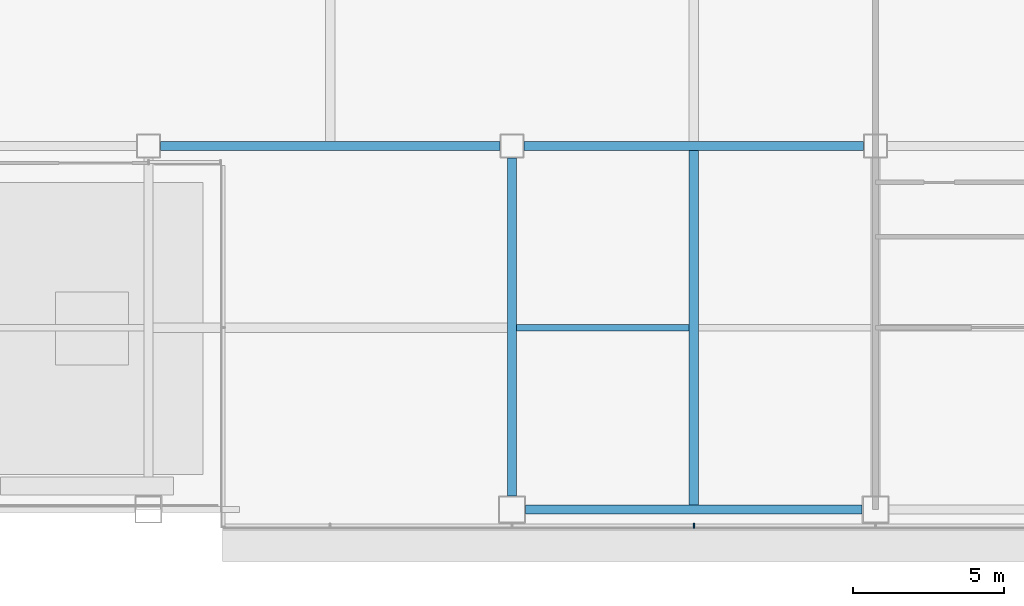
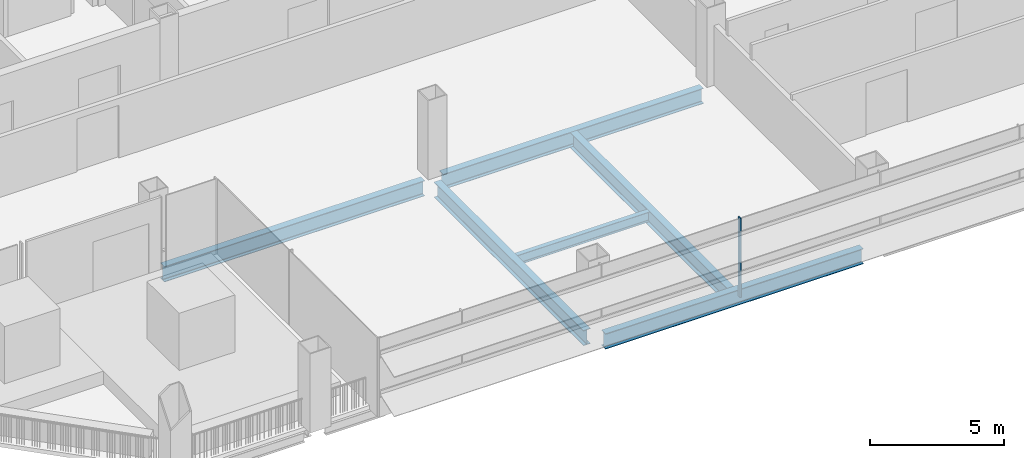
# One storey, part 3 of 28: 6 beams, 1 member, 1 element without a shape of its own.
"""IFC4 building model written with IfcOpenShell, lengths in metres."""

from ifc_helpers import new_model, si_unit, direction, frame, origin, origin_2d, place, context, subcontext, project, spatial, rectangle, i_section, extrude, material, material_profile, profile_set, type_object, element, aggregate, save


model = new_model("IFC4")

# Units and contexts
model_context = context("Model", 3, precision=1e-05, world=origin(), true_north=direction((0.0, 1.0)))
body_context = subcontext(model_context, "Body", "Model", "MODEL_VIEW")
ifc_project = project(units=[si_unit("LENGTHUNIT", "METRE"), si_unit("AREAUNIT", "SQUARE_METRE"), si_unit("VOLUMEUNIT", "CUBIC_METRE"), si_unit("PLANEANGLEUNIT", "RADIAN"), si_unit("MASSUNIT", "GRAM", prefix="KILO")], contexts=[model_context])

# Site, building, storey
site_placement = place(None, origin())
site = spatial("IfcSite", under=ifc_project, at=site_placement, CompositionType="ELEMENT")
building_placement = place(site_placement, origin())
building = spatial("IfcBuilding", under=site, at=building_placement, Name="Sorahane Residences", CompositionType="ELEMENT")
storey_placement = place(building_placement, frame((0.0, 0.0, 60.60009765625)))
storey = spatial("IfcBuildingStorey", under=building, at=storey_placement, Name="L11", CompositionType="ELEMENT", Elevation=60.60009765625)

# Curtain wall, member
ifc_material_1 = material(Name="Dark low-e glass and black anodised aluminium", Category="aluminium")
curtain_wall_type = type_object("IfcCurtainWallType", Name="Curtain wall CW-1 Typical unitised wall", PredefinedType="NOTDEFINED", material=ifc_material_1)
curtain_wall_placement = place(storey_placement, origin())
curtain_wall = element("IfcCurtainWall", 1, at=curtain_wall_placement, inside=storey, type_object=curtain_wall_type, Name="CW-1 curtain wall L11 S2", PredefinedType="NOTDEFINED")
ifc_material_2 = material(Name="Black anodised aluminium", Category="aluminium")
ifc_material_profile_1 = material_profile(ifc_material_2, rectangle(XDim=0.159912109375, YDim=0.050048828125, at=origin_2d()), Name="Curtain wall mullion CW-1 black anodised aluminium 50x160")
ifc_profile_set_1 = profile_set([ifc_material_profile_1], Name="Black anodised aluminium")
member_type = type_object("IfcMemberType", Name="Curtain wall mullion CW-1 black anodised aluminium 50x160", PredefinedType="MULLION", material=ifc_profile_set_1)
member_placement = place(storey_placement, frame((30.0, -0.5400390625, -0.18017578125), z_axis=(0.0, 0.0, 1.0), x_axis=(0.0, -1.0, 0.0)))
member = element("IfcMember", 2, at=member_placement, type_object=member_type, Name="CW-1 mullion L11 S2.4", PredefinedType="MULLION", context=body_context, shape_type="SweptSolid", body=[
    extrude(rectangle(XDim=0.159912109375, YDim=0.050048828125, at=origin_2d()), origin(), (0.0, 0.0, 1.0), 3.60009765625),
])
aggregate(curtain_wall, [member])

# Beams
ifc_material_3 = material(Name="Steel Q355B", Category="steel")
ifc_material_profile_2 = material_profile(ifc_material_3, i_section(OverallWidth=0.199951171875, OverallDepth=0.449951171875, WebThickness=0.009033203125, FlangeThickness=0.013916015625, FilletRadius=0.02001953125, at=origin_2d()), Name="HN 450x200x9x14")
ifc_profile_set_2 = profile_set([ifc_material_profile_2], Name="Steel Q355B")
beam_type_1 = type_object("IfcBeamType", Name="Steel floor beam HN 450x200x9x14 Q355B", PredefinedType="BEAM", material=ifc_profile_set_2)
beam_1_placement = place(storey_placement, frame((24.14990234375, 6.0, -0.405029296875), z_axis=(1.0, 0.0, 0.0), x_axis=(0.0, 1.0, 0.0)))
element("IfcBeam", 3, at=beam_1_placement, inside=storey, type_object=beam_type_1, Name="Beam L11 063", PredefinedType="BEAM", context=body_context, shape_type="SweptSolid", body=[
    extrude(i_section(OverallWidth=0.199951171875, OverallDepth=0.449951171875, WebThickness=0.009033203125, FlangeThickness=0.013916015625, FilletRadius=0.02001953125, at=origin_2d()), origin(), (0.0, 0.0, 1.0), 5.7001953125),
])
ifc_material_4 = material(Name="Steel Q355B", Category="steel")
ifc_material_profile_3 = material_profile(ifc_material_4, i_section(OverallWidth=0.300048828125, OverallDepth=0.699951171875, WebThickness=0.012939453125, FlangeThickness=0.02392578125, FilletRadius=0.028076171875, at=origin_2d()), Name="HN 700x300x13x24")
ifc_profile_set_3 = profile_set([ifc_material_profile_3], Name="Steel Q355B")
beam_type_2 = type_object("IfcBeamType", Name="Steel floor beam HN 700x300x13x24 Q355B", PredefinedType="BEAM", material=ifc_profile_set_3)
beam_2_placement = place(storey_placement, frame((24.449951171875, 0.0, -0.530029296875), z_axis=(1.0, 0.0, 0.0), x_axis=(0.0, 1.0, 0.0)))
element("IfcBeam", 4, at=beam_2_placement, inside=storey, type_object=beam_type_2, Name="Beam L11 002", PredefinedType="BEAM", context=body_context, shape_type="SweptSolid", body=[
    extrude(i_section(OverallWidth=0.300048828125, OverallDepth=0.699951171875, WebThickness=0.012939453125, FlangeThickness=0.02392578125, FilletRadius=0.028076171875, at=origin_2d()), origin(), (0.0, 0.0, 1.0), 11.10009765625),
])
for number, where, z_axis, x_axis, name in (
    (5, (12.39990234375, 12.0, -0.530029296875), (1.0, 0.0, 0.0), (0.0, 1.0, 0.0), "Beam L11 006"),
    (6, (24.39990234375, 12.0, -0.530029296875), (1.0, 0.0, 0.0), (0.0, 1.0, 0.0), "Beam L11 007"),
):
    element("IfcBeam", number, at=place(storey_placement, frame(where, z_axis=z_axis, x_axis=x_axis)), inside=storey, type_object=beam_type_2, Name=name, PredefinedType="BEAM", context=body_context, shape_type="SweptSolid", body=[
        extrude(i_section(OverallWidth=0.300048828125, OverallDepth=0.699951171875, WebThickness=0.012939453125, FlangeThickness=0.02392578125, FilletRadius=0.028076171875, at=origin_2d()), origin(), (0.0, 0.0, 1.0), 11.2001953125),
    ])
beam_3_placement = place(storey_placement, frame((24.0, 0.449951171875, -0.530029296875), z_axis=(0.0, 1.0, 0.0), x_axis=(-1.0, 0.0, 0.0)))
element("IfcBeam", 7, at=beam_3_placement, inside=storey, type_object=beam_type_2, Name="Beam L11 034", PredefinedType="BEAM", context=body_context, shape_type="SweptSolid", body=[
    extrude(i_section(OverallWidth=0.300048828125, OverallDepth=0.699951171875, WebThickness=0.012939453125, FlangeThickness=0.02392578125, FilletRadius=0.028076171875, at=origin_2d()), origin(), (0.0, 0.0, 1.0), 11.150146484375),
])
beam_4_placement = place(storey_placement, frame((30.0, 0.14990234375, -0.530029296875), z_axis=(0.0, 1.0, 0.0), x_axis=(-1.0, 0.0, 0.0)))
element("IfcBeam", 8, at=beam_4_placement, inside=storey, type_object=beam_type_2, Name="Beam L11 036", PredefinedType="BEAM", context=body_context, shape_type="SweptSolid", body=[
    extrude(i_section(OverallWidth=0.300048828125, OverallDepth=0.699951171875, WebThickness=0.012939453125, FlangeThickness=0.02392578125, FilletRadius=0.028076171875, at=origin_2d()), origin(), (0.0, 0.0, 1.0), 11.7001953125),
])

save(model, "model.ifc")
